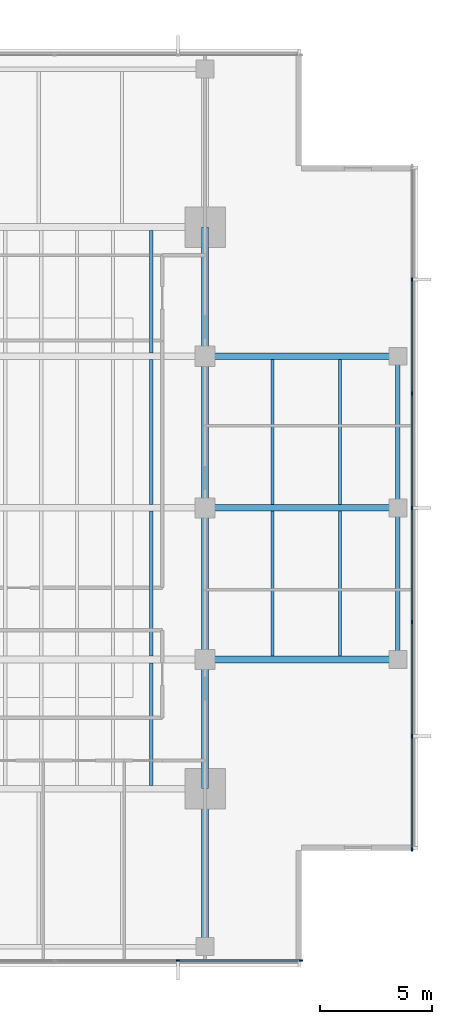
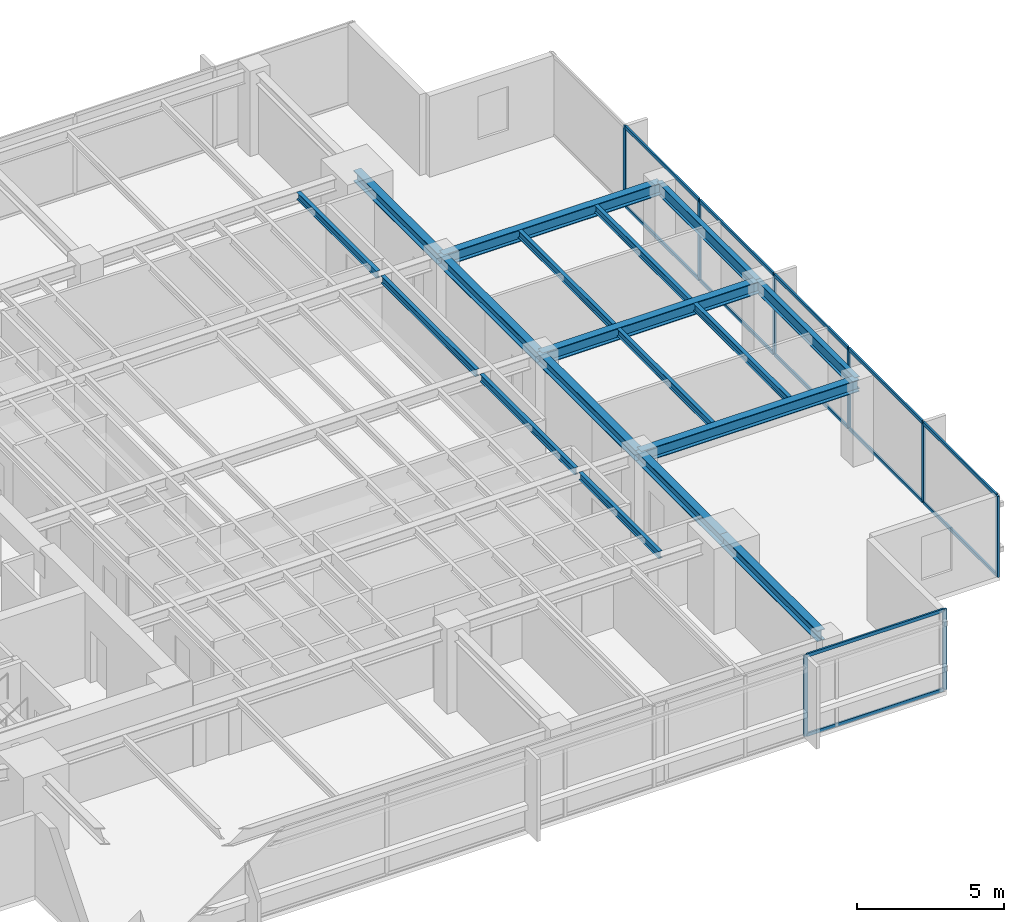
# One storey, part 4 of 14: 20 members, 18 beams, 2 elements without a shape of their own.
"""IFC4 building model written with IfcOpenShell, lengths in metres."""

from ifc_helpers import new_model, si_unit, direction, frame, origin, origin_2d, place, context, subcontext, project, spatial, rectangle, i_section, extrude, material, layer, layer_set, material_profile, profile_set, type_object, element, aggregate, save


model = new_model("IFC4")

# Units and contexts
model_context = context("Model", 3, precision=1e-05, world=origin(), true_north=direction((0.0, 1.0)))
body_context = subcontext(model_context, "Body", "Model", "MODEL_VIEW")
ifc_project = project(units=[si_unit("LENGTHUNIT", "METRE"), si_unit("AREAUNIT", "SQUARE_METRE"), si_unit("VOLUMEUNIT", "CUBIC_METRE"), si_unit("PLANEANGLEUNIT", "RADIAN"), si_unit("MASSUNIT", "GRAM", prefix="KILO")], contexts=[model_context])

# Site, building, storey
site_placement = place(None, origin())
site = spatial("IfcSite", under=ifc_project, at=site_placement, CompositionType="ELEMENT")
building_placement = place(site_placement, origin())
building = spatial("IfcBuilding", under=site, at=building_placement, Name="Kinhvarn Gate Tower", CompositionType="ELEMENT")
storey_placement = place(building_placement, frame((0.0, 0.0, 230.64990234375)))
storey = spatial("IfcBuildingStorey", under=building, at=storey_placement, Name="L61", CompositionType="ELEMENT", Elevation=230.64990234375)

# Curtain wall, members
ifc_material_1 = material(Name="Anodised aluminium AW-6063", Category="aluminium")
ifc_layer = layer(ifc_material_1, 0.179931640625)
ifc_layer_set = layer_set([ifc_layer], Name="Anodised aluminium AW-6063")
curtain_wall_type = type_object("IfcCurtainWallType", Name="CW-SYS-3", PredefinedType="NOTDEFINED", material=ifc_layer_set)
curtain_wall_1_placement = place(storey_placement, origin())
curtain_wall_1 = element("IfcCurtainWall", 1, at=curtain_wall_1_placement, inside=storey, type_object=curtain_wall_type, Name="Curtain Wall CW3 (L61)", PredefinedType="NOTDEFINED")
ifc_material_profile_1 = material_profile(ifc_material_1, rectangle(XDim=0.06494140625, YDim=0.159912109375, at=origin_2d()), Name="ALU 65x160")
ifc_profile_set_1 = profile_set([ifc_material_profile_1], Name="Anodised aluminium AW-6063")
member_type_1 = type_object("IfcMemberType", Name="CW-MUL-160", PredefinedType="MULLION", material=ifc_profile_set_1)
member_1_placement = place(storey_placement, frame((37.0, 5.090087890625, 0.0), z_axis=(0.0, 0.0, 1.0), x_axis=(0.0, 1.0, 0.0)))
member_1 = element("IfcMember", 2, at=member_1_placement, type_object=member_type_1, Name="CW3 mullion 6", PredefinedType="MULLION", context=body_context, shape_type="SweptSolid", body=[
    extrude(rectangle(XDim=0.06494140625, YDim=0.159912109375, at=origin_2d()), origin(), (0.0, 0.0, 1.0), 3.3701171875),
])
member_2_placement = place(storey_placement, frame((42.467529296875, 5.090087890625, 0.0), z_axis=(0.0, 0.0, 1.0), x_axis=(0.0, 1.0, 0.0)))
member_2 = element("IfcMember", 3, at=member_2_placement, type_object=member_type_1, Name="CW3 mullion 7", PredefinedType="MULLION", context=body_context, shape_type="SweptSolid", body=[
    extrude(rectangle(XDim=0.06494140625, YDim=0.159912109375, at=origin_2d()), origin(), (0.0, 0.0, 1.0), 3.3701171875),
])

curtain_wall_2_placement = place(storey_placement, origin())
curtain_wall_2 = element("IfcCurtainWall", 4, at=curtain_wall_2_placement, inside=storey, type_object=curtain_wall_type, Name="Curtain Wall CW3 (L61)", PredefinedType="NOTDEFINED")
member_3_placement = place(storey_placement, frame((47.409912109375, 10.032470703125, 0.0), z_axis=(0.0, 0.0, 1.0), x_axis=(-1.0, 0.0, 0.0)))
member_3 = element("IfcMember", 5, at=member_3_placement, type_object=member_type_1, Name="CW3 mullion 1", PredefinedType="MULLION", context=body_context, shape_type="SweptSolid", body=[
    extrude(rectangle(XDim=0.06494140625, YDim=0.159912109375, at=origin_2d()), origin(), (0.0, 0.0, 1.0), 3.3701171875),
])
member_4_placement = place(storey_placement, frame((47.409912109375, 15.083251953125, 0.0), z_axis=(0.0, 0.0, 1.0), x_axis=(-1.0, 0.0, 0.0)))
member_4 = element("IfcMember", 6, at=member_4_placement, type_object=member_type_1, Name="CW3 mullion 2", PredefinedType="MULLION", context=body_context, shape_type="SweptSolid", body=[
    extrude(rectangle(XDim=0.06494140625, YDim=0.159912109375, at=origin_2d()), origin(), (0.0, 0.0, 1.0), 3.3701171875),
])
member_5_placement = place(storey_placement, frame((47.409912109375, 20.166748046875, 0.0), z_axis=(0.0, 0.0, 1.0), x_axis=(-1.0, 0.0, 0.0)))
member_5 = element("IfcMember", 7, at=member_5_placement, type_object=member_type_1, Name="CW3 mullion 3", PredefinedType="MULLION", context=body_context, shape_type="SweptSolid", body=[
    extrude(rectangle(XDim=0.06494140625, YDim=0.159912109375, at=origin_2d()), origin(), (0.0, 0.0, 1.0), 3.3701171875),
])
member_6_placement = place(storey_placement, frame((47.409912109375, 25.25, 0.0), z_axis=(0.0, 0.0, 1.0), x_axis=(-1.0, 0.0, 0.0)))
member_6 = element("IfcMember", 8, at=member_6_placement, type_object=member_type_1, Name="CW3 mullion 4", PredefinedType="MULLION", context=body_context, shape_type="SweptSolid", body=[
    extrude(rectangle(XDim=0.06494140625, YDim=0.159912109375, at=origin_2d()), origin(), (0.0, 0.0, 1.0), 3.3701171875),
])
member_7_placement = place(storey_placement, frame((47.409912109375, 30.333251953125, 0.0), z_axis=(0.0, 0.0, 1.0), x_axis=(-1.0, 0.0, 0.0)))
member_7 = element("IfcMember", 9, at=member_7_placement, type_object=member_type_1, Name="CW3 mullion 5", PredefinedType="MULLION", context=body_context, shape_type="SweptSolid", body=[
    extrude(rectangle(XDim=0.06494140625, YDim=0.159912109375, at=origin_2d()), origin(), (0.0, 0.0, 1.0), 3.3701171875),
])
member_8_placement = place(storey_placement, frame((47.409912109375, 35.416748046875, 0.0), z_axis=(0.0, 0.0, 1.0), x_axis=(-1.0, 0.0, 0.0)))
member_8 = element("IfcMember", 10, at=member_8_placement, type_object=member_type_1, Name="CW3 mullion 6", PredefinedType="MULLION", context=body_context, shape_type="SweptSolid", body=[
    extrude(rectangle(XDim=0.06494140625, YDim=0.159912109375, at=origin_2d()), origin(), (0.0, 0.0, 1.0), 3.3701171875),
])

# Member
ifc_material_profile_2 = material_profile(ifc_material_1, rectangle(XDim=0.070068359375, YDim=0.139892578125, at=origin_2d()), Name="ALU 70x140")
ifc_profile_set_2 = profile_set([ifc_material_profile_2], Name="Anodised aluminium AW-6063")
member_type_2 = type_object("IfcMemberType", Name="CW-TRN-140", PredefinedType="USERDEFINED", material=ifc_profile_set_2)
member_9_placement = place(storey_placement, frame((37.032470703125, 5.090087890625, 0.03515625), z_axis=(1.0, 0.0, 0.0), x_axis=(0.0, 1.0, 0.0)))
member_9 = element("IfcMember", 11, at=member_9_placement, type_object=member_type_2, Name="CW3 transom 6.1", ObjectType="TRANSOM", PredefinedType="USERDEFINED", context=body_context, shape_type="SweptSolid", body=[
    extrude(rectangle(XDim=0.070068359375, YDim=0.139892578125, at=origin_2d()), origin(), (0.0, 0.0, 1.0), 5.402587890625),
])

member_10_placement = place(storey_placement, frame((37.032470703125, 5.090087890625, 3.335205078125), z_axis=(1.0, 0.0, 0.0), x_axis=(0.0, 1.0, 0.0)))
member_10 = element("IfcMember", 12, at=member_10_placement, type_object=member_type_2, Name="CW3 transom 6.2", ObjectType="TRANSOM", PredefinedType="USERDEFINED", context=body_context, shape_type="SweptSolid", body=[
    extrude(rectangle(XDim=0.070068359375, YDim=0.139892578125, at=origin_2d()), origin(), (0.0, 0.0, 1.0), 5.402587890625),
])

aggregate(curtain_wall_1, [member_1, member_2, member_9, member_10])

member_11_placement = place(storey_placement, frame((47.409912109375, 10.06494140625, 0.03515625), z_axis=(0.0, 1.0, 0.0), x_axis=(-1.0, 0.0, 0.0)))
member_11 = element("IfcMember", 13, at=member_11_placement, type_object=member_type_2, Name="CW3 transom 1.1", ObjectType="TRANSOM", PredefinedType="USERDEFINED", context=body_context, shape_type="SweptSolid", body=[
    extrude(rectangle(XDim=0.070068359375, YDim=0.139892578125, at=origin_2d()), origin(), (0.0, 0.0, 1.0), 4.98583984375),
])

member_12_placement = place(storey_placement, frame((47.409912109375, 10.06494140625, 3.335205078125), z_axis=(0.0, 1.0, 0.0), x_axis=(-1.0, 0.0, 0.0)))
member_12 = element("IfcMember", 14, at=member_12_placement, type_object=member_type_2, Name="CW3 transom 1.2", ObjectType="TRANSOM", PredefinedType="USERDEFINED", context=body_context, shape_type="SweptSolid", body=[
    extrude(rectangle(XDim=0.070068359375, YDim=0.139892578125, at=origin_2d()), origin(), (0.0, 0.0, 1.0), 4.98583984375),
])

member_13_placement = place(storey_placement, frame((47.409912109375, 15.11572265625, 0.03515625), z_axis=(0.0, 1.0, 0.0), x_axis=(-1.0, 0.0, 0.0)))
member_13 = element("IfcMember", 15, at=member_13_placement, type_object=member_type_2, Name="CW3 transom 2.1", ObjectType="TRANSOM", PredefinedType="USERDEFINED", context=body_context, shape_type="SweptSolid", body=[
    extrude(rectangle(XDim=0.070068359375, YDim=0.139892578125, at=origin_2d()), origin(), (0.0, 0.0, 1.0), 5.0185546875),
])

member_14_placement = place(storey_placement, frame((47.409912109375, 15.11572265625, 3.335205078125), z_axis=(0.0, 1.0, 0.0), x_axis=(-1.0, 0.0, 0.0)))
member_14 = element("IfcMember", 16, at=member_14_placement, type_object=member_type_2, Name="CW3 transom 2.2", ObjectType="TRANSOM", PredefinedType="USERDEFINED", context=body_context, shape_type="SweptSolid", body=[
    extrude(rectangle(XDim=0.070068359375, YDim=0.139892578125, at=origin_2d()), origin(), (0.0, 0.0, 1.0), 5.0185546875),
])

member_15_placement = place(storey_placement, frame((47.409912109375, 20.19921875, 0.03515625), z_axis=(0.0, 1.0, 0.0), x_axis=(-1.0, 0.0, 0.0)))
member_15 = element("IfcMember", 17, at=member_15_placement, type_object=member_type_2, Name="CW3 transom 3.1", ObjectType="TRANSOM", PredefinedType="USERDEFINED", context=body_context, shape_type="SweptSolid", body=[
    extrude(rectangle(XDim=0.070068359375, YDim=0.139892578125, at=origin_2d()), origin(), (0.0, 0.0, 1.0), 5.018310546875),
])

member_16_placement = place(storey_placement, frame((47.409912109375, 20.19921875, 3.335205078125), z_axis=(0.0, 1.0, 0.0), x_axis=(-1.0, 0.0, 0.0)))
member_16 = element("IfcMember", 18, at=member_16_placement, type_object=member_type_2, Name="CW3 transom 3.2", ObjectType="TRANSOM", PredefinedType="USERDEFINED", context=body_context, shape_type="SweptSolid", body=[
    extrude(rectangle(XDim=0.070068359375, YDim=0.139892578125, at=origin_2d()), origin(), (0.0, 0.0, 1.0), 5.018310546875),
])

member_17_placement = place(storey_placement, frame((47.409912109375, 25.282470703125, 0.03515625), z_axis=(0.0, 1.0, 0.0), x_axis=(-1.0, 0.0, 0.0)))
member_17 = element("IfcMember", 19, at=member_17_placement, type_object=member_type_2, Name="CW3 transom 4.1", ObjectType="TRANSOM", PredefinedType="USERDEFINED", context=body_context, shape_type="SweptSolid", body=[
    extrude(rectangle(XDim=0.070068359375, YDim=0.139892578125, at=origin_2d()), origin(), (0.0, 0.0, 1.0), 5.018310546875),
])

member_18_placement = place(storey_placement, frame((47.409912109375, 25.282470703125, 3.335205078125), z_axis=(0.0, 1.0, 0.0), x_axis=(-1.0, 0.0, 0.0)))
member_18 = element("IfcMember", 20, at=member_18_placement, type_object=member_type_2, Name="CW3 transom 4.2", ObjectType="TRANSOM", PredefinedType="USERDEFINED", context=body_context, shape_type="SweptSolid", body=[
    extrude(rectangle(XDim=0.070068359375, YDim=0.139892578125, at=origin_2d()), origin(), (0.0, 0.0, 1.0), 5.018310546875),
])

member_19_placement = place(storey_placement, frame((47.409912109375, 30.36572265625, 0.03515625), z_axis=(0.0, 1.0, 0.0), x_axis=(-1.0, 0.0, 0.0)))
member_19 = element("IfcMember", 21, at=member_19_placement, type_object=member_type_2, Name="CW3 transom 5.1", ObjectType="TRANSOM", PredefinedType="USERDEFINED", context=body_context, shape_type="SweptSolid", body=[
    extrude(rectangle(XDim=0.070068359375, YDim=0.139892578125, at=origin_2d()), origin(), (0.0, 0.0, 1.0), 5.0185546875),
])

member_20_placement = place(storey_placement, frame((47.409912109375, 30.36572265625, 3.335205078125), z_axis=(0.0, 1.0, 0.0), x_axis=(-1.0, 0.0, 0.0)))
member_20 = element("IfcMember", 22, at=member_20_placement, type_object=member_type_2, Name="CW3 transom 5.2", ObjectType="TRANSOM", PredefinedType="USERDEFINED", context=body_context, shape_type="SweptSolid", body=[
    extrude(rectangle(XDim=0.070068359375, YDim=0.139892578125, at=origin_2d()), origin(), (0.0, 0.0, 1.0), 5.0185546875),
])

aggregate(curtain_wall_2, [member_3, member_4, member_5, member_6, member_7, member_8, member_11, member_12, member_13, member_14, member_15, member_16, member_17, member_18, member_19, member_20])

# Beams
ifc_material_2 = material(Name="Steel S355", Category="steel")
ifc_material_profile_3 = material_profile(ifc_material_2, i_section(OverallWidth=0.300048828125, OverallDepth=0.449951171875, WebThickness=0.013916015625, FlangeThickness=0.02587890625, at=origin_2d()), Name="HEB 450")
ifc_profile_set_3 = profile_set([ifc_material_profile_3], Name="Steel S355")
beam_type_1 = type_object("IfcBeamType", Name="STL-HEB450", PredefinedType="BEAM", material=ifc_profile_set_3)
beam_1_placement = place(storey_placement, frame((38.199951171875, 6.10498046875, 3.14501953125), z_axis=(0.0, 1.0, 0.0), x_axis=(-1.0, 0.0, 0.0)))
element("IfcBeam", 23, at=beam_1_placement, inside=storey, type_object=beam_type_1, Name="Floor Beam PG-13 (L61 MCE-S)", PredefinedType="BEAM", context=body_context, shape_type="SweptSolid", body=[
    extrude(i_section(OverallWidth=0.300048828125, OverallDepth=0.449951171875, WebThickness=0.013916015625, FlangeThickness=0.02587890625, at=origin_2d()), origin(), (0.0, 0.0, 1.0), 6.64501953125),
])
beam_2_placement = place(storey_placement, frame((38.199951171875, 12.75, 3.14501953125), z_axis=(0.0, 1.0, 0.0), x_axis=(-1.0, 0.0, 0.0)))
element("IfcBeam", 24, at=beam_2_placement, inside=storey, type_object=beam_type_1, Name="Floor Beam PG-13 (L61 MG-E-12)", PredefinedType="BEAM", context=body_context, shape_type="SweptSolid", body=[
    extrude(i_section(OverallWidth=0.300048828125, OverallDepth=0.449951171875, WebThickness=0.013916015625, FlangeThickness=0.02587890625, at=origin_2d()), origin(), (0.0, 0.0, 1.0), 5.75),
])
for number, where, z_axis, x_axis, name in (
    (25, (38.199951171875, 18.5, 3.14501953125), (0.0, 1.0, 0.0), (-1.0, 0.0, 0.0), "Floor Beam PG-13 (L61 MG-E-18)"),
    (26, (38.199951171875, 25.25, 3.14501953125), (0.0, 1.0, 0.0), (-1.0, 0.0, 0.0), "Floor Beam PG-13 (L61 MG-E-25)"),
):
    element("IfcBeam", number, at=place(storey_placement, frame(where, z_axis=z_axis, x_axis=x_axis)), inside=storey, type_object=beam_type_1, Name=name, PredefinedType="BEAM", context=body_context, shape_type="SweptSolid", body=[
        extrude(i_section(OverallWidth=0.300048828125, OverallDepth=0.449951171875, WebThickness=0.013916015625, FlangeThickness=0.02587890625, at=origin_2d()), origin(), (0.0, 0.0, 1.0), 6.75),
    ])
beam_3_placement = place(storey_placement, frame((38.199951171875, 32.0, 3.14501953125), z_axis=(0.0, 1.0, 0.0), x_axis=(-1.0, 0.0, 0.0)))
element("IfcBeam", 27, at=beam_3_placement, inside=storey, type_object=beam_type_1, Name="Floor Beam PG-13 (L61 MG-E-32)", PredefinedType="BEAM", context=body_context, shape_type="SweptSolid", body=[
    extrude(i_section(OverallWidth=0.300048828125, OverallDepth=0.449951171875, WebThickness=0.013916015625, FlangeThickness=0.02587890625, at=origin_2d()), origin(), (0.0, 0.0, 1.0), 5.75),
])
ifc_material_profile_4 = material_profile(ifc_material_2, i_section(OverallWidth=0.300048828125, OverallDepth=0.5, WebThickness=0.014404296875, FlangeThickness=0.028076171875, at=origin_2d()), Name="HEB 500")
ifc_profile_set_4 = profile_set([ifc_material_profile_4], Name="Steel S355")
beam_type_2 = type_object("IfcBeamType", Name="STL-HEB500", PredefinedType="BEAM", material=ifc_profile_set_4)
for number, where, z_axis, x_axis, name in (
    (28, (38.199951171875, 18.5, 3.1201171875), (1.0, 0.0, 0.0), (0.0, 1.0, 0.0), "Floor Beam PG-14 (L61 EW2-Y18)"),
    (29, (38.199951171875, 25.25, 3.1201171875), (1.0, 0.0, 0.0), (0.0, 1.0, 0.0), "Floor Beam PG-14 (L61 EW2-Y25)"),
    (30, (38.199951171875, 32.0, 3.1201171875), (1.0, 0.0, 0.0), (0.0, 1.0, 0.0), "Floor Beam PG-14 (L61 EW2-Y32)"),
):
    element("IfcBeam", number, at=place(storey_placement, frame(where, z_axis=z_axis, x_axis=x_axis)), inside=storey, type_object=beam_type_2, Name=name, PredefinedType="BEAM", context=body_context, shape_type="SweptSolid", body=[
        extrude(i_section(OverallWidth=0.300048828125, OverallDepth=0.5, WebThickness=0.014404296875, FlangeThickness=0.028076171875, at=origin_2d()), origin(), (0.0, 0.0, 1.0), 8.580078125),
    ])
ifc_material_profile_5 = material_profile(ifc_material_2, i_section(OverallWidth=0.14990234375, OverallDepth=0.300048828125, WebThickness=0.007080078125, FlangeThickness=0.0107421875, at=origin_2d()), Name="IPE 300")
ifc_profile_set_5 = profile_set([ifc_material_profile_5], Name="Steel S355")
beam_type_3 = type_object("IfcBeamType", Name="STL-IPE300", PredefinedType="JOIST", material=ifc_profile_set_5)
beam_4_placement = place(storey_placement, frame((35.800048828125, 12.89990234375, 3.22021484375), z_axis=(0.0, 1.0, 0.0), x_axis=(-1.0, 0.0, 0.0)))
element("IfcBeam", 31, at=beam_4_placement, inside=storey, type_object=beam_type_3, Name="Floor Joist SB-02 (L61 JC-X358-0)", PredefinedType="JOIST", context=body_context, shape_type="SweptSolid", body=[
    extrude(i_section(OverallWidth=0.14990234375, OverallDepth=0.300048828125, WebThickness=0.007080078125, FlangeThickness=0.0107421875, at=origin_2d()), origin(), (0.0, 0.0, 1.0), 5.4501953125),
])
for number, where, z_axis, x_axis, name in (
    (32, (35.800048828125, 18.64990234375, 3.22021484375), (0.0, 1.0, 0.0), (-1.0, 0.0, 0.0), "Floor Joist SB-02 (L61 JC-X358-1)"),
    (33, (35.800048828125, 25.39990234375, 3.22021484375), (0.0, 1.0, 0.0), (-1.0, 0.0, 0.0), "Floor Joist SB-02 (L61 JC-X358-2)"),
):
    element("IfcBeam", number, at=place(storey_placement, frame(where, z_axis=z_axis, x_axis=x_axis)), inside=storey, type_object=beam_type_3, Name=name, PredefinedType="JOIST", context=body_context, shape_type="SweptSolid", body=[
        extrude(i_section(OverallWidth=0.14990234375, OverallDepth=0.300048828125, WebThickness=0.007080078125, FlangeThickness=0.0107421875, at=origin_2d()), origin(), (0.0, 0.0, 1.0), 6.4501953125),
    ])
beam_5_placement = place(storey_placement, frame((35.800048828125, 32.14990234375, 3.22021484375), z_axis=(0.0, 1.0, 0.0), x_axis=(-1.0, 0.0, 0.0)))
element("IfcBeam", 34, at=beam_5_placement, inside=storey, type_object=beam_type_3, Name="Floor Joist SB-02 (L61 JC-X358-3)", PredefinedType="JOIST", context=body_context, shape_type="SweptSolid", body=[
    extrude(i_section(OverallWidth=0.14990234375, OverallDepth=0.300048828125, WebThickness=0.007080078125, FlangeThickness=0.0107421875, at=origin_2d()), origin(), (0.0, 0.0, 1.0), 5.4501953125),
])
for number, where, z_axis, x_axis, name in (
    (35, (41.199951171875, 18.64990234375, 3.22021484375), (0.0, 1.0, 0.0), (-1.0, 0.0, 0.0), "Floor Joist SB-02 (L61 JC-X412-1)"),
    (36, (41.199951171875, 25.39990234375, 3.22021484375), (0.0, 1.0, 0.0), (-1.0, 0.0, 0.0), "Floor Joist SB-02 (L61 JC-X412-2)"),
    (37, (44.2099609375, 18.64990234375, 3.22021484375), (0.0, 1.0, 0.0), (-1.0, 0.0, 0.0), "Floor Joist SB-02 (L61 JC-X442-1)"),
    (38, (44.2099609375, 25.39990234375, 3.22021484375), (0.0, 1.0, 0.0), (-1.0, 0.0, 0.0), "Floor Joist SB-02 (L61 JC-X442-2)"),
):
    element("IfcBeam", number, at=place(storey_placement, frame(where, z_axis=z_axis, x_axis=x_axis)), inside=storey, type_object=beam_type_3, Name=name, PredefinedType="JOIST", context=body_context, shape_type="SweptSolid", body=[
        extrude(i_section(OverallWidth=0.14990234375, OverallDepth=0.300048828125, WebThickness=0.007080078125, FlangeThickness=0.0107421875, at=origin_2d()), origin(), (0.0, 0.0, 1.0), 6.4501953125),
    ])
ifc_material_profile_6 = material_profile(ifc_material_2, i_section(OverallWidth=0.199951171875, OverallDepth=0.5, WebThickness=0.01025390625, FlangeThickness=0.01611328125, at=origin_2d()), Name="IPE 500")
ifc_profile_set_6 = profile_set([ifc_material_profile_6], Name="Steel S355")
beam_type_4 = type_object("IfcBeamType", Name="STL-IPE500", PredefinedType="SPANDREL", material=ifc_profile_set_6)
for number, where, z_axis, x_axis, name in (
    (39, (46.780029296875, 18.5, 3.1201171875), (0.0, 1.0, 0.0), (-1.0, 0.0, 0.0), "Floor Spandrel SB-07 (L61 SP-E2)"),
    (40, (46.780029296875, 25.25, 3.1201171875), (0.0, 1.0, 0.0), (-1.0, 0.0, 0.0), "Floor Spandrel SB-07 (L61 SP-E3)"),
):
    element("IfcBeam", number, at=place(storey_placement, frame(where, z_axis=z_axis, x_axis=x_axis)), inside=storey, type_object=beam_type_4, Name=name, PredefinedType="SPANDREL", context=body_context, shape_type="SweptSolid", body=[
        extrude(i_section(OverallWidth=0.199951171875, OverallDepth=0.5, WebThickness=0.01025390625, FlangeThickness=0.01611328125, at=origin_2d()), origin(), (0.0, 0.0, 1.0), 6.75),
    ])

save(model, "model.ifc")
